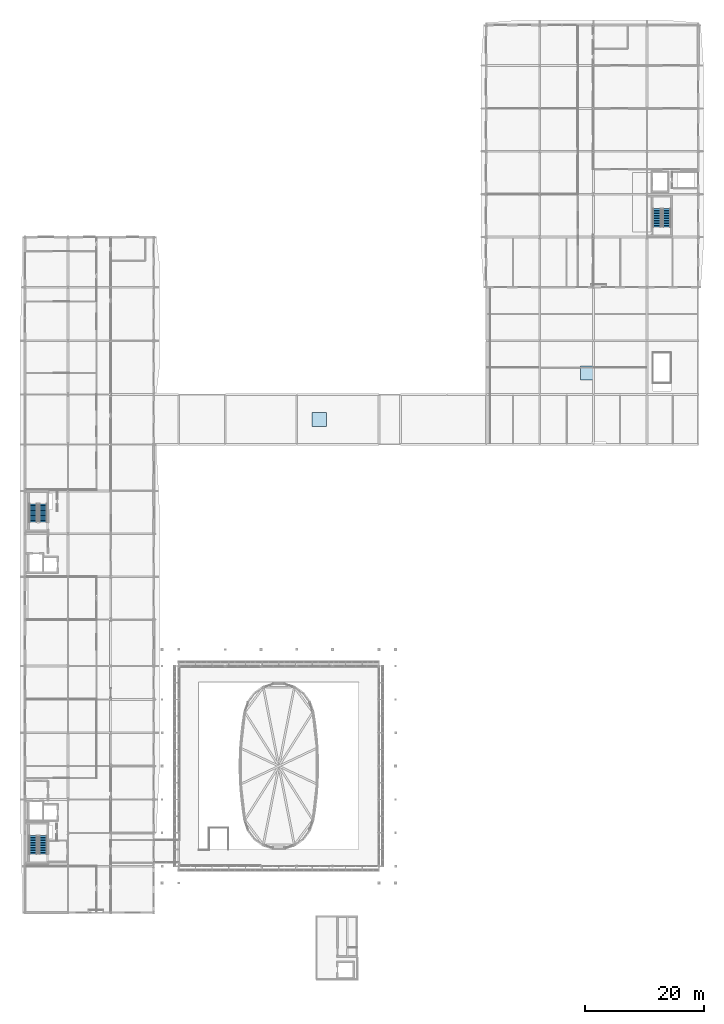
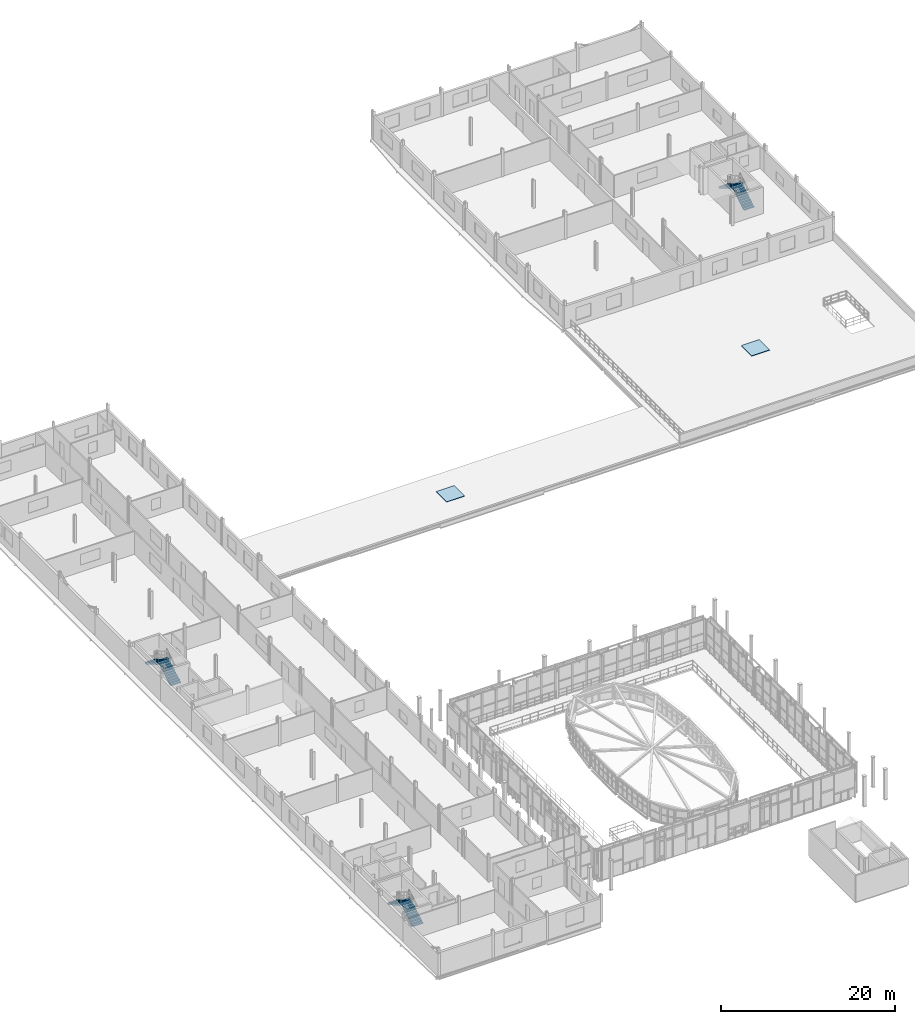
# One storey, part 69 of 78: 6 stair flights, 2 roofs, 3 elements without a shape of their own.
"""IFC4 building model written with IfcOpenShell, lengths in metres."""

from ifc_helpers import new_model, si_unit, direction, frame, origin, origin_2d, place, context, subcontext, project, spatial, polyline, rectangle, outline, extrude, material, layer, layer_set, type_object, element, aggregate, save


model = new_model("IFC4")

# Units and contexts
model_context = context("Model", 3, precision=1e-05, world=origin(), true_north=direction((0.0, 1.0)))
body_context = subcontext(model_context, "Body", "Model", "MODEL_VIEW")
ifc_project = project(units=[si_unit("LENGTHUNIT", "METRE"), si_unit("AREAUNIT", "SQUARE_METRE"), si_unit("VOLUMEUNIT", "CUBIC_METRE"), si_unit("PLANEANGLEUNIT", "RADIAN"), si_unit("MASSUNIT", "GRAM", prefix="KILO")], contexts=[model_context])

# Site, building, storey
site_placement = place(None, origin())
site = spatial("IfcSite", under=ifc_project, at=site_placement, CompositionType="ELEMENT")
building_placement = place(site_placement, origin())
building = spatial("IfcBuilding", under=site, at=building_placement, Name="Vinh Khe Railworks Police Headquarters", CompositionType="ELEMENT")
storey_placement = place(building_placement, frame((0.0, 0.0, 13.199951171875)))
storey = spatial("IfcBuildingStorey", under=building, at=storey_placement, Name="L03", CompositionType="ELEMENT", Elevation=13.199951171875)

# Stair, stair flights
ifc_material_1 = material(Name="Precast concrete C40/50 (B40)", Category="concrete")
stair_type = type_object("IfcStairType", Name="ST-CORE-DOGLEG", PredefinedType="HALF_TURN_STAIR", material=ifc_material_1)
stair_1_placement = place(storey_placement, origin())
stair_1 = element("IfcStair", 1, at=stair_1_placement, inside=storey, type_object=stair_type, Name="L03 Escape Stair ST-01", PredefinedType="HALF_TURN_STAIR")
stair_flight_type = type_object("IfcStairFlightType", Name="STF-PRECAST-1350", PredefinedType="STRAIGHT", material=ifc_material_1)
stair_flight_1_placement = place(storey_placement, frame((3.625, 27.25, 0.0), z_axis=(0.0, 0.0, 1.0), x_axis=(0.0, 1.0, 0.0)))
stair_flight_1 = element("IfcStairFlight", 2, at=stair_flight_1_placement, type_object=stair_flight_type, Name="ST-01 flight 1", NumberOfRisers=12, NumberOfTreads=11, PredefinedType="STRAIGHT", RiserHeight=0.1625, TreadLength=0.28, context=body_context, shape_type="SweptSolid", body=[
    extrude(outline(polyline([(0.0, 0.0), (0.0, 0.16259765625), (0.280029296875, 0.16259765625), (0.280029296875, 0.324951171875), (0.56005859375, 0.324951171875), (0.56005859375, 0.487548828125), (0.840087890625, 0.487548828125), (0.840087890625, 0.64990234375), (1.1201171875, 0.64990234375), (1.1201171875, 0.8125), (1.39990234375, 0.8125), (1.39990234375, 0.97509765625), (1.679931640625, 0.97509765625), (1.679931640625, 1.137451171875), (1.9599609375, 1.137451171875), (1.9599609375, 1.300048828125), (2.239990234375, 1.300048828125), (2.239990234375, 1.46240234375), (2.52001953125, 1.46240234375), (2.52001953125, 1.625), (2.800048828125, 1.625), (2.800048828125, 1.78759765625), (3.080078125, 1.78759765625), (3.080078125, 1.949951171875), (3.080078125, 1.6142578125), (0.298583984375, 0.0), (0.0, 0.0)])), frame((0.0, 0.675048828125, 0.0), z_axis=(0.0, -1.0, 0.0), x_axis=(1.0, 0.0, 0.0)), (0.0, 0.0, 1.0), 1.35009765625),
])
stair_flight_2_placement = place(storey_placement, frame((1.97509765625, 30.330078125, 1.949951171875), z_axis=(0.0, 0.0, 1.0), x_axis=(0.0, -1.0, 0.0)))
stair_flight_2 = element("IfcStairFlight", 3, at=stair_flight_2_placement, type_object=stair_flight_type, Name="ST-01 flight 2", NumberOfRisers=12, NumberOfTreads=11, PredefinedType="STRAIGHT", RiserHeight=0.1625, TreadLength=0.28, context=body_context, shape_type="SweptSolid", body=[
    extrude(outline(polyline([(0.0, 0.0), (0.0, 0.16259765625), (0.280029296875, 0.16259765625), (0.280029296875, 0.324951171875), (0.56005859375, 0.324951171875), (0.56005859375, 0.487548828125), (0.840087890625, 0.487548828125), (0.840087890625, 0.64990234375), (1.1201171875, 0.64990234375), (1.1201171875, 0.8125), (1.39990234375, 0.8125), (1.39990234375, 0.97509765625), (1.679931640625, 0.97509765625), (1.679931640625, 1.137451171875), (1.9599609375, 1.137451171875), (1.9599609375, 1.300048828125), (2.239990234375, 1.300048828125), (2.239990234375, 1.46240234375), (2.52001953125, 1.46240234375), (2.52001953125, 1.625), (2.800048828125, 1.625), (2.800048828125, 1.78759765625), (3.080078125, 1.78759765625), (3.080078125, 1.949951171875), (3.080078125, 1.6142578125), (0.298583984375, 0.0), (0.0, 0.0)])), frame((0.0, 0.675048828125, 0.0), z_axis=(0.0, -1.0, 0.0), x_axis=(1.0, 0.0, 0.0)), (0.0, 0.0, 1.0), 1.35009765625),
])
aggregate(stair_1, [stair_flight_1, stair_flight_2])

stair_2_placement = place(storey_placement, origin())
stair_2 = element("IfcStair", 4, at=stair_2_placement, inside=storey, type_object=stair_type, Name="L03 Escape Stair ST-02", PredefinedType="HALF_TURN_STAIR")
stair_flight_3_placement = place(storey_placement, frame((3.625, 82.949951171875, 0.0), z_axis=(0.0, 0.0, 1.0), x_axis=(0.0, 1.0, 0.0)))
stair_flight_3 = element("IfcStairFlight", 5, at=stair_flight_3_placement, type_object=stair_flight_type, Name="ST-02 flight 1", NumberOfRisers=12, NumberOfTreads=11, PredefinedType="STRAIGHT", RiserHeight=0.1625, TreadLength=0.28, context=body_context, shape_type="SweptSolid", body=[
    extrude(outline(polyline([(0.0, 0.0), (0.0, 0.16259765625), (0.280029296875, 0.16259765625), (0.280029296875, 0.324951171875), (0.56005859375, 0.324951171875), (0.56005859375, 0.487548828125), (0.840087890625, 0.487548828125), (0.840087890625, 0.64990234375), (1.1201171875, 0.64990234375), (1.1201171875, 0.8125), (1.39990234375, 0.8125), (1.39990234375, 0.97509765625), (1.679931640625, 0.97509765625), (1.679931640625, 1.137451171875), (1.9599609375, 1.137451171875), (1.9599609375, 1.300048828125), (2.239990234375, 1.300048828125), (2.239990234375, 1.46240234375), (2.52001953125, 1.46240234375), (2.52001953125, 1.625), (2.800048828125, 1.625), (2.800048828125, 1.78759765625), (3.080078125, 1.78759765625), (3.080078125, 1.949951171875), (3.080078125, 1.6142578125), (0.298583984375, 0.0), (0.0, 0.0)])), frame((0.0, 0.675048828125, 0.0), z_axis=(0.0, -1.0, 0.0), x_axis=(1.0, 0.0, 0.0)), (0.0, 0.0, 1.0), 1.35009765625),
])
stair_flight_4_placement = place(storey_placement, frame((1.97509765625, 86.030029296875, 1.949951171875), z_axis=(0.0, 0.0, 1.0), x_axis=(0.0, -1.0, 0.0)))
stair_flight_4 = element("IfcStairFlight", 6, at=stair_flight_4_placement, type_object=stair_flight_type, Name="ST-02 flight 2", NumberOfRisers=12, NumberOfTreads=11, PredefinedType="STRAIGHT", RiserHeight=0.1625, TreadLength=0.28, context=body_context, shape_type="SweptSolid", body=[
    extrude(outline(polyline([(0.0, 0.0), (0.0, 0.16259765625), (0.280029296875, 0.16259765625), (0.280029296875, 0.324951171875), (0.56005859375, 0.324951171875), (0.56005859375, 0.487548828125), (0.840087890625, 0.487548828125), (0.840087890625, 0.64990234375), (1.1201171875, 0.64990234375), (1.1201171875, 0.8125), (1.39990234375, 0.8125), (1.39990234375, 0.97509765625), (1.679931640625, 0.97509765625), (1.679931640625, 1.137451171875), (1.9599609375, 1.137451171875), (1.9599609375, 1.300048828125), (2.239990234375, 1.300048828125), (2.239990234375, 1.46240234375), (2.52001953125, 1.46240234375), (2.52001953125, 1.625), (2.800048828125, 1.625), (2.800048828125, 1.78759765625), (3.080078125, 1.78759765625), (3.080078125, 1.949951171875), (3.080078125, 1.6142578125), (0.298583984375, 0.0), (0.0, 0.0)])), frame((0.0, 0.675048828125, 0.0), z_axis=(0.0, -1.0, 0.0), x_axis=(1.0, 0.0, 0.0)), (0.0, 0.0, 1.0), 1.35009765625),
])
aggregate(stair_2, [stair_flight_3, stair_flight_4])

stair_3_placement = place(storey_placement, origin())
stair_3 = element("IfcStair", 7, at=stair_3_placement, inside=storey, type_object=stair_type, Name="L03 Escape Stair ST-03", PredefinedType="HALF_TURN_STAIR")
stair_flight_5_placement = place(storey_placement, frame((108.324951171875, 132.5, 0.0), z_axis=(0.0, 0.0, 1.0), x_axis=(0.0, 1.0, 0.0)))
stair_flight_5 = element("IfcStairFlight", 8, at=stair_flight_5_placement, type_object=stair_flight_type, Name="ST-03 flight 1", NumberOfRisers=12, NumberOfTreads=11, PredefinedType="STRAIGHT", RiserHeight=0.1625, TreadLength=0.28, context=body_context, shape_type="SweptSolid", body=[
    extrude(outline(polyline([(0.0, 0.0), (0.0, 0.16259765625), (0.280029296875, 0.16259765625), (0.280029296875, 0.324951171875), (0.56005859375, 0.324951171875), (0.56005859375, 0.487548828125), (0.840087890625, 0.487548828125), (0.840087890625, 0.64990234375), (1.1201171875, 0.64990234375), (1.1201171875, 0.8125), (1.39990234375, 0.8125), (1.39990234375, 0.97509765625), (1.679931640625, 0.97509765625), (1.679931640625, 1.137451171875), (1.9599609375, 1.137451171875), (1.9599609375, 1.300048828125), (2.239990234375, 1.300048828125), (2.239990234375, 1.46240234375), (2.52001953125, 1.46240234375), (2.52001953125, 1.625), (2.800048828125, 1.625), (2.800048828125, 1.78759765625), (3.080078125, 1.78759765625), (3.080078125, 1.949951171875), (3.080078125, 1.6142578125), (0.298583984375, 0.0), (0.0, 0.0)])), frame((0.0, 0.675048828125, 0.0), z_axis=(0.0, -1.0, 0.0), x_axis=(1.0, 0.0, 0.0)), (0.0, 0.0, 1.0), 1.35009765625),
])
stair_flight_6_placement = place(storey_placement, frame((106.675048828125, 135.580078125, 1.949951171875), z_axis=(0.0, 0.0, 1.0), x_axis=(0.0, -1.0, 0.0)))
stair_flight_6 = element("IfcStairFlight", 9, at=stair_flight_6_placement, type_object=stair_flight_type, Name="ST-03 flight 2", NumberOfRisers=12, NumberOfTreads=11, PredefinedType="STRAIGHT", RiserHeight=0.1625, TreadLength=0.28, context=body_context, shape_type="SweptSolid", body=[
    extrude(outline(polyline([(0.0, 0.0), (0.0, 0.16259765625), (0.280029296875, 0.16259765625), (0.280029296875, 0.324951171875), (0.56005859375, 0.324951171875), (0.56005859375, 0.487548828125), (0.840087890625, 0.487548828125), (0.840087890625, 0.64990234375), (1.1201171875, 0.64990234375), (1.1201171875, 0.8125), (1.39990234375, 0.8125), (1.39990234375, 0.97509765625), (1.679931640625, 0.97509765625), (1.679931640625, 1.137451171875), (1.9599609375, 1.137451171875), (1.9599609375, 1.300048828125), (2.239990234375, 1.300048828125), (2.239990234375, 1.46240234375), (2.52001953125, 1.46240234375), (2.52001953125, 1.625), (2.800048828125, 1.625), (2.800048828125, 1.78759765625), (3.080078125, 1.78759765625), (3.080078125, 1.949951171875), (3.080078125, 1.6142578125), (0.298583984375, 0.0), (0.0, 0.0)])), frame((0.0, 0.675048828125, 0.0), z_axis=(0.0, -1.0, 0.0), x_axis=(1.0, 0.0, 0.0)), (0.0, 0.0, 1.0), 1.35009765625),
])
aggregate(stair_3, [stair_flight_5, stair_flight_6])

# Roofs
ifc_material_2 = material(Name="Concrete C35/45 (B35)", Category="concrete")
ifc_layer = layer(ifc_material_2, 0.080078125)
ifc_layer_set = layer_set([ifc_layer], Name="Concrete C35/45 (B35)")
roof_type = type_object("IfcRoofType", Name="Flat Roof Weathering Cap Assembly", PredefinedType="FLAT_ROOF", material=ifc_layer_set)
for number, where, z_axis, x_axis, name in (
    (10, (95.0, 108.0, -0.02001953125), (0.0, 0.0, 1.0), (1.0, 0.0, 0.0), "Flat Roof Weathering Cap ROOF-CAP-V6A"),
    (11, (50.0, 100.199951171875, -0.02001953125), (0.0, 0.0, 1.0), (1.0, 0.0, 0.0), "Flat Roof Weathering Cap ROOF-CAP-BRG"),
):
    element("IfcRoof", number, at=place(storey_placement, frame(where, z_axis=z_axis, x_axis=x_axis)), inside=storey, type_object=roof_type, Name=name, PredefinedType="FLAT_ROOF", context=body_context, shape_type="SweptSolid", body=[
        extrude(rectangle(XDim=2.39990234375, YDim=2.39990234375, at=origin_2d()), origin(), (0.0, 0.0, 1.0), 0.080078125),
    ])

save(model, "model.ifc")
